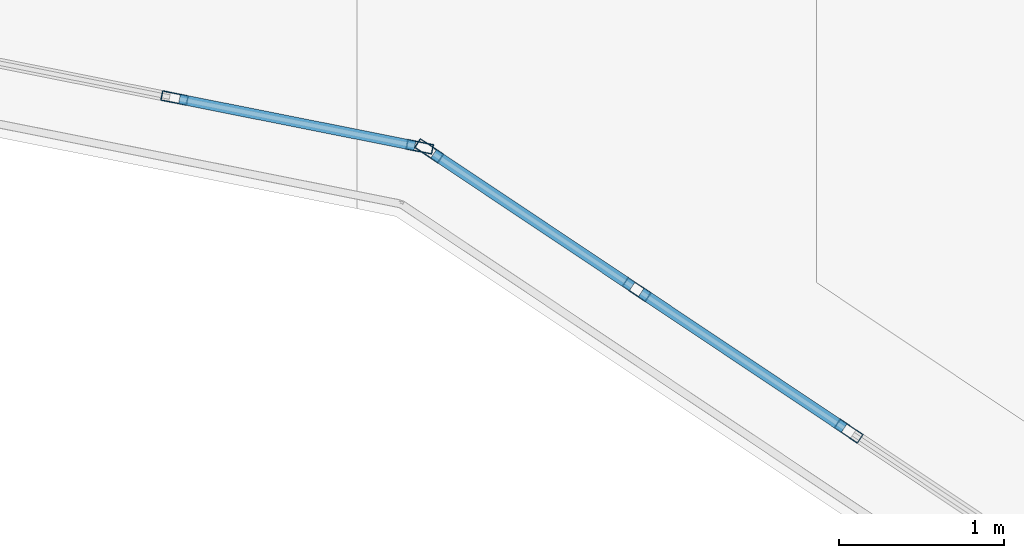
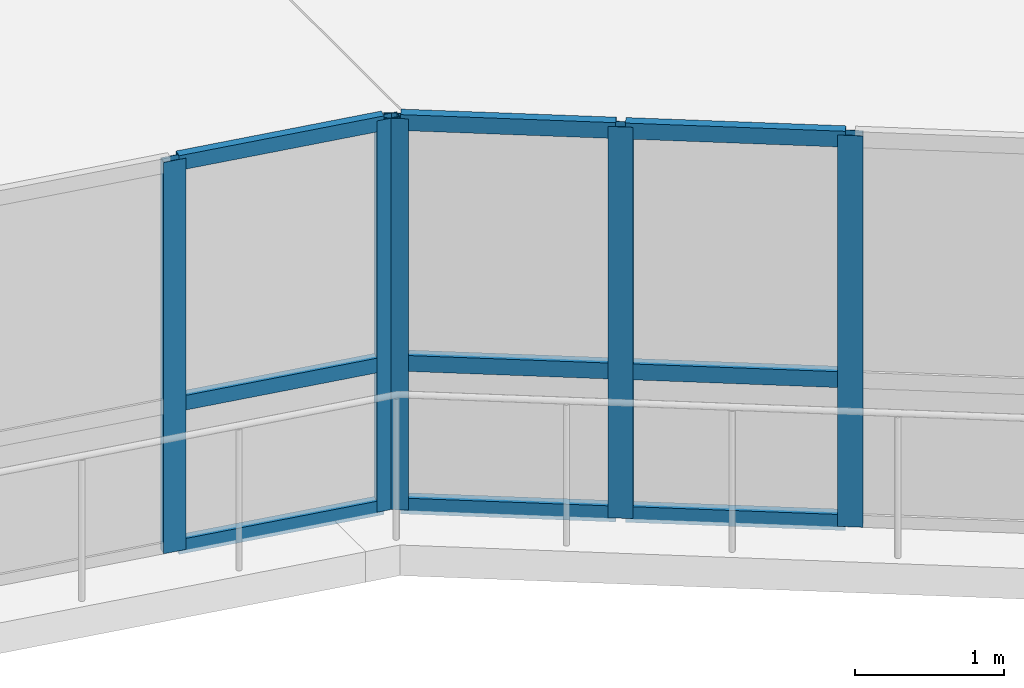
# One storey, part 26 of 110: 14 members, 2 elements without a shape of their own.
"""IFC4 building model written with IfcOpenShell, lengths in metres."""

from ifc_helpers import new_model, si_unit, direction, frame, origin, origin_2d, place, context, subcontext, project, spatial, hollow_rectangle, extrude, material, layer, layer_set, material_profile, profile_set, type_object, element, aggregate, save


model = new_model("IFC4")

# Units and contexts
model_context = context("Model", 3, precision=1e-05, world=origin(), true_north=direction((0.0, 1.0)))
body_context = subcontext(model_context, "Body", "Model", "MODEL_VIEW")
ifc_project = project(units=[si_unit("LENGTHUNIT", "METRE"), si_unit("AREAUNIT", "SQUARE_METRE"), si_unit("VOLUMEUNIT", "CUBIC_METRE"), si_unit("PLANEANGLEUNIT", "RADIAN"), si_unit("MASSUNIT", "GRAM", prefix="KILO"), si_unit("THERMODYNAMICTEMPERATUREUNIT", "KELVIN")], contexts=[model_context])

# Site, building, storey
site_placement = place(None, origin())
site = spatial("IfcSite", under=ifc_project, at=site_placement, CompositionType="ELEMENT")
building_placement = place(site_placement, origin())
building = spatial("IfcBuilding", under=site, at=building_placement, Name="Lustrewick Department Store", CompositionType="ELEMENT")
storey_placement = place(building_placement, frame((0.0, 0.0, 6.0)))
storey = spatial("IfcBuildingStorey", under=building, at=storey_placement, Name="L02", CompositionType="ELEMENT", Elevation=6.0)

# Curtain wall, members
ifc_material = material(Name="Thermally broken aluminium 6063-T5", Category="aluminium")
ifc_layer_1 = layer(ifc_material, 0.169921875, Name="Thermally broken aluminium 6063-T5")
ifc_layer_set_1 = layer_set([ifc_layer_1], Name="Thermally broken aluminium 6063-T5")
curtain_wall_type_1 = type_object("IfcCurtainWallType", Name="CW16", PredefinedType="NOTDEFINED", material=ifc_layer_set_1)
curtain_wall_1_placement = place(storey_placement, origin())
curtain_wall_1 = element("IfcCurtainWall", 1, at=curtain_wall_1_placement, inside=storey, type_object=curtain_wall_type_1, Name="L02 Atrium Glazed Screen CW16", PredefinedType="NOTDEFINED")
ifc_material_profile_1 = material_profile(ifc_material, hollow_rectangle(XDim=0.06494140625, YDim=0.169921875, WallThickness=0.00390625, at=origin_2d()), Name="ALU-M 65x170x4")
ifc_profile_set_1 = profile_set([ifc_material_profile_1], Name="Thermally broken aluminium 6063-T5")
member_type_1 = type_object("IfcMemberType", Name="CW16-M1", PredefinedType="MULLION", material=ifc_profile_set_1)
member_1_placement = place(storey_placement, frame((36.497802734375, 76.435546875, 0.0), z_axis=(0.0, 0.0, 1.0), x_axis=(-0.555578313862, -0.831464212799, 0.0)))
member_1 = element("IfcMember", 2, at=member_1_placement, type_object=member_type_1, Name="CW16 mullion 2", PredefinedType="MULLION", context=body_context, shape_type="SweptSolid", body=[
    extrude(hollow_rectangle(XDim=0.06494140625, YDim=0.169921875, WallThickness=0.00390625, at=origin_2d()), origin(), (0.0, 0.0, 1.0), 3.199951171875),
])
member_2_placement = place(storey_placement, frame((35.21630859375, 77.291748046875, 0.0), z_axis=(0.0, 0.0, 1.0), x_axis=(-0.555578313862, -0.831464212799, 0.0)))
member_2 = element("IfcMember", 3, at=member_2_placement, type_object=member_type_1, Name="CW16 mullion 3", PredefinedType="MULLION", context=body_context, shape_type="SweptSolid", body=[
    extrude(hollow_rectangle(XDim=0.06494140625, YDim=0.169921875, WallThickness=0.00390625, at=origin_2d()), origin(), (0.0, 0.0, 1.0), 3.199951171875),
])
member_3_placement = place(storey_placement, frame((33.9619140625, 78.1298828125, 0.0), z_axis=(0.0, 0.0, 1.0), x_axis=(-0.555578313862, -0.831464212799, 0.0)))
member_3 = element("IfcMember", 4, at=member_3_placement, type_object=member_type_1, Name="CW16 mullion 4", PredefinedType="MULLION", context=body_context, shape_type="SweptSolid", body=[
    extrude(hollow_rectangle(XDim=0.06494140625, YDim=0.169921875, WallThickness=0.00390625, at=origin_2d()), origin(), (0.0, 0.0, 1.0), 3.199951171875),
])
ifc_material_profile_2 = material_profile(ifc_material, hollow_rectangle(XDim=0.06494140625, YDim=0.1298828125, WallThickness=0.00341796875, at=origin_2d()), Name="ALU-T 65x130x3.5")
ifc_profile_set_2 = profile_set([ifc_material_profile_2], Name="Thermally broken aluminium 6063-T5")
member_type_2 = type_object("IfcMemberType", Name="CW16-T1", PredefinedType="USERDEFINED", material=ifc_profile_set_2)
member_4_placement = place(storey_placement, frame((36.470703125, 76.45361328125, 0.032470703125), z_axis=(-0.831464570536, 0.555577778482, 0.0), x_axis=(-0.555577778482, -0.831464570536, 0.0)))
member_4 = element("IfcMember", 5, at=member_4_placement, type_object=member_type_2, Name="CW16 transom 2.1", ObjectType="TRANSOM", PredefinedType="USERDEFINED", context=body_context, shape_type="SweptSolid", body=[
    extrude(hollow_rectangle(XDim=0.06494140625, YDim=0.1298828125, WallThickness=0.00341796875, at=origin_2d()), origin(), (0.0, 0.0, 1.0), 1.47607421875),
])
member_5_placement = place(storey_placement, frame((36.470703125, 76.45361328125, 1.199951171875), z_axis=(-0.831464570536, 0.555577778482, 0.0), x_axis=(-0.555577778482, -0.831464570536, 0.0)))
member_5 = element("IfcMember", 6, at=member_5_placement, type_object=member_type_2, Name="CW16 transom 2.2", ObjectType="TRANSOM", PredefinedType="USERDEFINED", context=body_context, shape_type="SweptSolid", body=[
    extrude(hollow_rectangle(XDim=0.06494140625, YDim=0.1298828125, WallThickness=0.00341796875, at=origin_2d()), origin(), (0.0, 0.0, 1.0), 1.47607421875),
])
member_6_placement = place(storey_placement, frame((36.470703125, 76.45361328125, 3.16748046875), z_axis=(-0.831464570536, 0.555577778482, 0.0), x_axis=(-0.555577778482, -0.831464570536, 0.0)))
member_6 = element("IfcMember", 7, at=member_6_placement, type_object=member_type_2, Name="CW16 transom 2.3", ObjectType="TRANSOM", PredefinedType="USERDEFINED", context=body_context, shape_type="SweptSolid", body=[
    extrude(hollow_rectangle(XDim=0.06494140625, YDim=0.1298828125, WallThickness=0.00341796875, at=origin_2d()), origin(), (0.0, 0.0, 1.0), 1.47607421875),
])
member_7_placement = place(storey_placement, frame((35.189208984375, 77.309814453125, 0.032470703125), z_axis=(-0.831503542147, 0.555519450062, 0.0), x_axis=(-0.555519450062, -0.831503542147, 0.0)))
member_7 = element("IfcMember", 8, at=member_7_placement, type_object=member_type_2, Name="CW16 transom 3.1", ObjectType="TRANSOM", PredefinedType="USERDEFINED", context=body_context, shape_type="SweptSolid", body=[
    extrude(hollow_rectangle(XDim=0.06494140625, YDim=0.1298828125, WallThickness=0.00341796875, at=origin_2d()), origin(), (0.0, 0.0, 1.0), 1.443603515625),
])
member_8_placement = place(storey_placement, frame((35.189208984375, 77.309814453125, 1.199951171875), z_axis=(-0.831503542147, 0.555519450062, 0.0), x_axis=(-0.555519450062, -0.831503542147, 0.0)))
member_8 = element("IfcMember", 9, at=member_8_placement, type_object=member_type_2, Name="CW16 transom 3.2", ObjectType="TRANSOM", PredefinedType="USERDEFINED", context=body_context, shape_type="SweptSolid", body=[
    extrude(hollow_rectangle(XDim=0.06494140625, YDim=0.1298828125, WallThickness=0.00341796875, at=origin_2d()), origin(), (0.0, 0.0, 1.0), 1.443603515625),
])
member_9_placement = place(storey_placement, frame((35.189208984375, 77.309814453125, 3.16748046875), z_axis=(-0.831503542147, 0.555519450062, 0.0), x_axis=(-0.555519450062, -0.831503542147, 0.0)))
member_9 = element("IfcMember", 10, at=member_9_placement, type_object=member_type_2, Name="CW16 transom 3.3", ObjectType="TRANSOM", PredefinedType="USERDEFINED", context=body_context, shape_type="SweptSolid", body=[
    extrude(hollow_rectangle(XDim=0.06494140625, YDim=0.1298828125, WallThickness=0.00341796875, at=origin_2d()), origin(), (0.0, 0.0, 1.0), 1.443603515625),
])
aggregate(curtain_wall_1, [member_1, member_2, member_3, member_4, member_5, member_6, member_7, member_8, member_9])

ifc_layer_2 = layer(ifc_material, 0.159912109375, Name="Thermally broken aluminium 6063-T5")
ifc_layer_set_2 = layer_set([ifc_layer_2], Name="Thermally broken aluminium 6063-T5")
curtain_wall_type_2 = type_object("IfcCurtainWallType", Name="CW17", PredefinedType="NOTDEFINED", material=ifc_layer_set_2)
curtain_wall_2_placement = place(storey_placement, origin())
curtain_wall_2 = element("IfcCurtainWall", 11, at=curtain_wall_2_placement, inside=storey, type_object=curtain_wall_type_2, Name="L02 Atrium Glazed Screen CW17", PredefinedType="NOTDEFINED")
ifc_material_profile_3 = material_profile(ifc_material, hollow_rectangle(XDim=0.06005859375, YDim=0.159912109375, WallThickness=0.00390625, at=origin_2d()), Name="ALU-M 60x160x4")
ifc_profile_set_3 = profile_set([ifc_material_profile_3], Name="Thermally broken aluminium 6063-T5")
member_type_3 = type_object("IfcMemberType", Name="CW17-M1", PredefinedType="MULLION", material=ifc_profile_set_3)
member_10_placement = place(storey_placement, frame((33.9052734375, 78.15380859375, 0.0), z_axis=(0.0, 0.0, 1.0), x_axis=(-0.195084537521, -0.980786430993, 0.0)))
member_10 = element("IfcMember", 12, at=member_10_placement, type_object=member_type_3, Name="CW17 mullion 1", PredefinedType="MULLION", context=body_context, shape_type="SweptSolid", body=[
    extrude(hollow_rectangle(XDim=0.06005859375, YDim=0.159912109375, WallThickness=0.00390625, at=origin_2d()), origin(), (0.0, 0.0, 1.0), 3.199951171875),
])
member_11_placement = place(storey_placement, frame((32.423095703125, 78.44873046875, 0.0), z_axis=(0.0, 0.0, 1.0), x_axis=(-0.195084537521, -0.980786430993, 0.0)))
member_11 = element("IfcMember", 13, at=member_11_placement, type_object=member_type_3, Name="CW17 mullion 2", PredefinedType="MULLION", context=body_context, shape_type="SweptSolid", body=[
    extrude(hollow_rectangle(XDim=0.06005859375, YDim=0.159912109375, WallThickness=0.00390625, at=origin_2d()), origin(), (0.0, 0.0, 1.0), 3.199951171875),
])
ifc_material_profile_4 = material_profile(ifc_material, hollow_rectangle(XDim=0.06005859375, YDim=0.1201171875, WallThickness=0.00341796875, at=origin_2d()), Name="ALU-T 60x120x3.5")
ifc_profile_set_4 = profile_set([ifc_material_profile_4], Name="Thermally broken aluminium 6063-T5")
member_type_4 = type_object("IfcMemberType", Name="CW17-T1", PredefinedType="USERDEFINED", material=ifc_profile_set_4)
member_12_placement = place(storey_placement, frame((33.8759765625, 78.15966796875, 0.030029296875), z_axis=(-0.980774305612, 0.195145487909, 0.0), x_axis=(-0.195145487909, -0.980774305612, 0.0)))
member_12 = element("IfcMember", 14, at=member_12_placement, type_object=member_type_4, Name="CW17 transom 1.1", ObjectType="TRANSOM", PredefinedType="USERDEFINED", context=body_context, shape_type="SweptSolid", body=[
    extrude(hollow_rectangle(XDim=0.06005859375, YDim=0.1201171875, WallThickness=0.00341796875, at=origin_2d()), origin(), (0.0, 0.0, 1.0), 1.451171875),
])
member_13_placement = place(storey_placement, frame((33.8759765625, 78.15966796875, 1.199951171875), z_axis=(-0.980774305612, 0.195145487909, 0.0), x_axis=(-0.195145487909, -0.980774305612, 0.0)))
member_13 = element("IfcMember", 15, at=member_13_placement, type_object=member_type_4, Name="CW17 transom 1.2", ObjectType="TRANSOM", PredefinedType="USERDEFINED", context=body_context, shape_type="SweptSolid", body=[
    extrude(hollow_rectangle(XDim=0.06005859375, YDim=0.1201171875, WallThickness=0.00341796875, at=origin_2d()), origin(), (0.0, 0.0, 1.0), 1.451171875),
])
member_14_placement = place(storey_placement, frame((33.8759765625, 78.15966796875, 3.169921875), z_axis=(-0.980774305612, 0.195145487909, 0.0), x_axis=(-0.195145487909, -0.980774305612, 0.0)))
member_14 = element("IfcMember", 16, at=member_14_placement, type_object=member_type_4, Name="CW17 transom 1.3", ObjectType="TRANSOM", PredefinedType="USERDEFINED", context=body_context, shape_type="SweptSolid", body=[
    extrude(hollow_rectangle(XDim=0.06005859375, YDim=0.1201171875, WallThickness=0.00341796875, at=origin_2d()), origin(), (0.0, 0.0, 1.0), 1.451171875),
])
aggregate(curtain_wall_2, [member_10, member_11, member_12, member_13, member_14])

save(model, "model.ifc")
